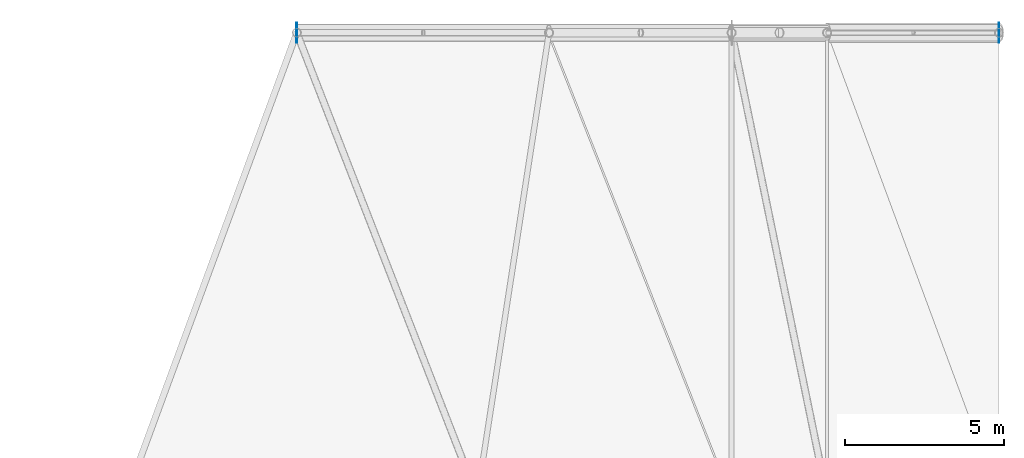
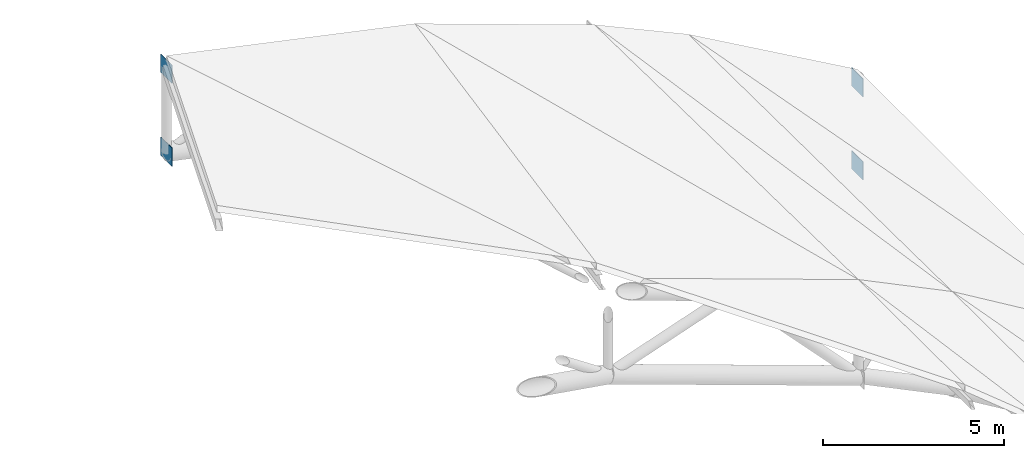
# One storey, part 35 of 36: 4 plates.
"""IFC4 building model written with IfcOpenShell, lengths in metres."""

from ifc_helpers import new_model, si_unit, direction, frame, origin, origin_2d, place, context, subcontext, project, spatial, rectangle, extrude, material, layer, layer_set, type_object, element, save


model = new_model("IFC4")

# Units and contexts
model_context = context("Model", 3, precision=1e-05, world=origin(), true_north=direction((0.0, 1.0)))
body_context = subcontext(model_context, "Body", "Model", "MODEL_VIEW")
ifc_project = project(units=[si_unit("LENGTHUNIT", "METRE"), si_unit("AREAUNIT", "SQUARE_METRE"), si_unit("VOLUMEUNIT", "CUBIC_METRE"), si_unit("PLANEANGLEUNIT", "RADIAN"), si_unit("MASSUNIT", "GRAM", prefix="KILO")], contexts=[model_context])

# Site, building, storey
site_placement = place(None, origin())
site = spatial("IfcSite", under=ifc_project, at=site_placement, CompositionType="ELEMENT")
building_placement = place(site_placement, origin())
building = spatial("IfcBuilding", under=site, at=building_placement, Name="Koshinbarg Plaza Stadium", CompositionType="ELEMENT")
storey_placement = place(building_placement, frame((0.0, 0.0, 34.199951171875)))
storey = spatial("IfcBuildingStorey", under=building, at=storey_placement, Name="RF", CompositionType="ELEMENT", Elevation=34.199951171875)

# Plates
ifc_material = material(Name="Steel S355", Category="steel")
ifc_layer = layer(ifc_material, 0.02001953125)
ifc_layer_set = layer_set([ifc_layer], Name="Steel S355")
plate_type = type_object("IfcPlateType", Name="PLT-GUS-04", PredefinedType="USERDEFINED", material=ifc_layer_set)
for number, where, z_axis, x_axis, name in (
    (1, (197.800048828125, 126.5, -2.31005859375), (0.0, 0.0, 1.0), (1.0, 0.0, 0.0), "Roof truss node cap plate KN-01 ERB-08-1T"),
    (2, (197.800048828125, 126.5, -5.110107421875), (0.0, 0.0, 1.0), (1.0, 0.0, 0.0), "Roof truss node cap plate KN-01 ERB-08-1B"),
    (3, (175.736083984375, 126.5, 5.876953125), (0.0, 0.0, 1.0), (1.0, 0.0, 0.0), "Roof truss node cap plate KN-02 ERB-08-5T"),
    (4, (175.736083984375, 126.5, 3.076904296875), (0.0, 0.0, 1.0), (1.0, 0.0, 0.0), "Roof truss node cap plate KN-02 ERB-08-5B"),
):
    element("IfcPlate", number, at=place(storey_placement, frame(where, z_axis=z_axis, x_axis=x_axis)), inside=storey, type_object=plate_type, Name=name, ObjectType="GUSSET_PLATE", PredefinedType="USERDEFINED", context=body_context, shape_type="SweptSolid", body=[
        extrude(rectangle(XDim=0.02001953125, YDim=0.6201171875, at=origin_2d()), origin(), (0.0, 0.0, 1.0), 0.6201171875),
    ])

save(model, "model.ifc")
